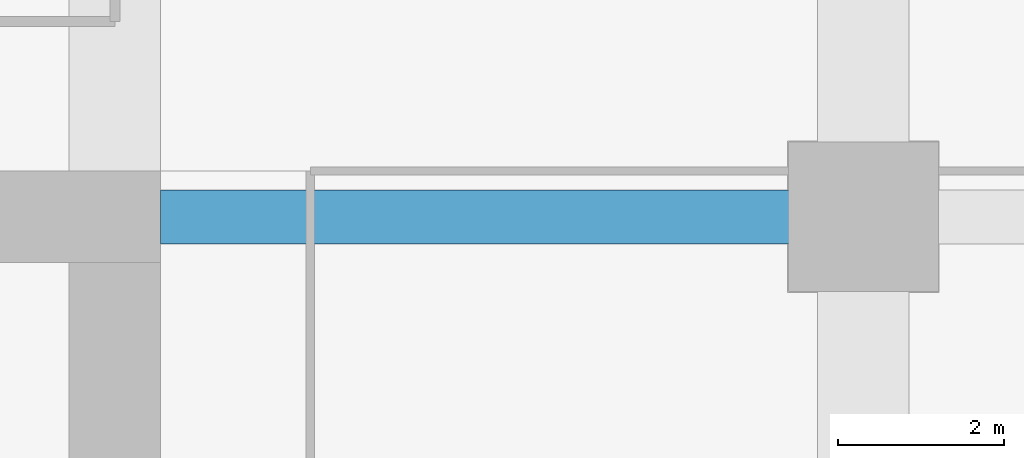
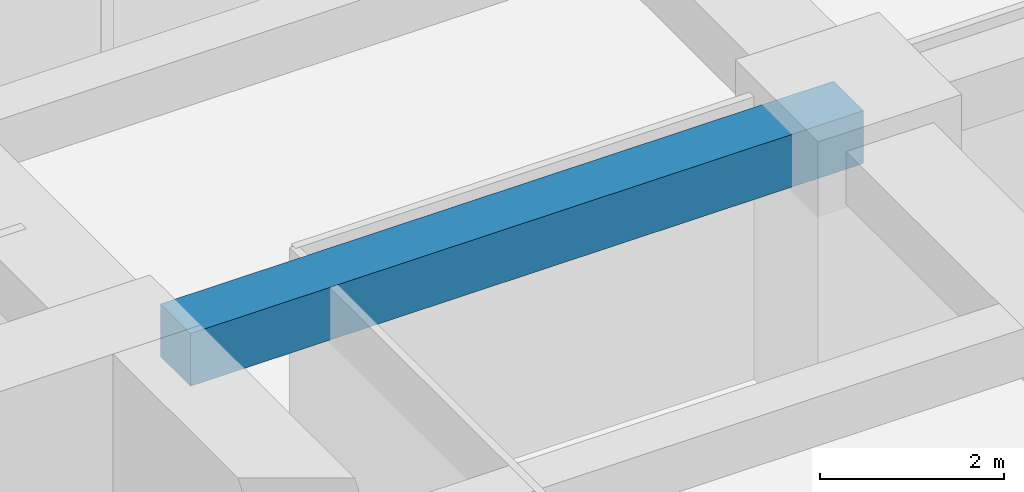
# One storey, part 31 of 39: 1 beam.
"""IFC4 building model written with IfcOpenShell, lengths in metres."""

from ifc_helpers import new_model, si_unit, direction, frame, origin, origin_2d, place, context, subcontext, project, spatial, rectangle, extrude, material, material_profile, profile_set, type_object, element, save


model = new_model("IFC4")

# Units and contexts
model_context = context("Model", 3, precision=1e-05, world=origin(), true_north=direction((0.0, 1.0)))
body_context = subcontext(model_context, "Body", "Model", "MODEL_VIEW")
ifc_project = project(units=[si_unit("LENGTHUNIT", "METRE"), si_unit("AREAUNIT", "SQUARE_METRE"), si_unit("VOLUMEUNIT", "CUBIC_METRE"), si_unit("PLANEANGLEUNIT", "RADIAN"), si_unit("MASSUNIT", "GRAM", prefix="KILO")], contexts=[model_context])

# Site, building, storey
site_placement = place(None, origin())
site = spatial("IfcSite", under=ifc_project, at=site_placement, CompositionType="ELEMENT")
building_placement = place(site_placement, origin())
building = spatial("IfcBuilding", under=site, at=building_placement, Name="Zorevar Civic Tower", CompositionType="ELEMENT")
storey_placement = place(building_placement, frame((0.0, 0.0, 125.0)))
storey = spatial("IfcBuildingStorey", under=building, at=storey_placement, Name="L30", CompositionType="ELEMENT", Elevation=125.0)

# Beam
ifc_material = material(Name="Concrete C50/60", Category="concrete")
ifc_material_profile = material_profile(ifc_material, rectangle(XDim=0.64990234375, YDim=0.699951171875, at=origin_2d()), Name="RC 650x700")
ifc_profile_set = profile_set([ifc_material_profile], Name="Concrete C50/60")
beam_type = type_object("IfcBeamType", Name="Beam RC 650x700", PredefinedType="BEAM", material=ifc_profile_set)
beam_placement = place(storey_placement, frame((45.550048828125, 36.0, 3.39990234375), z_axis=(1.0, 0.0, 0.0), x_axis=(0.0, 1.0, 0.0)))
element("IfcBeam", 1, at=beam_placement, inside=storey, type_object=beam_type, Name="Girder L31", PredefinedType="BEAM", context=body_context, shape_type="SweptSolid", body=[
    extrude(rectangle(XDim=0.64990234375, YDim=0.699951171875, at=origin_2d()), origin(), (0.0, 0.0, 1.0), 8.449951171875),
])

save(model, "model.ifc")
